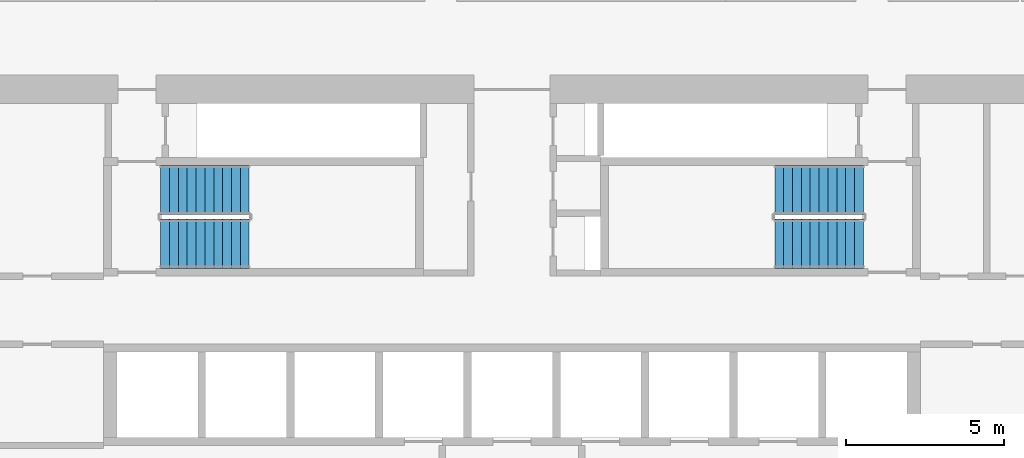
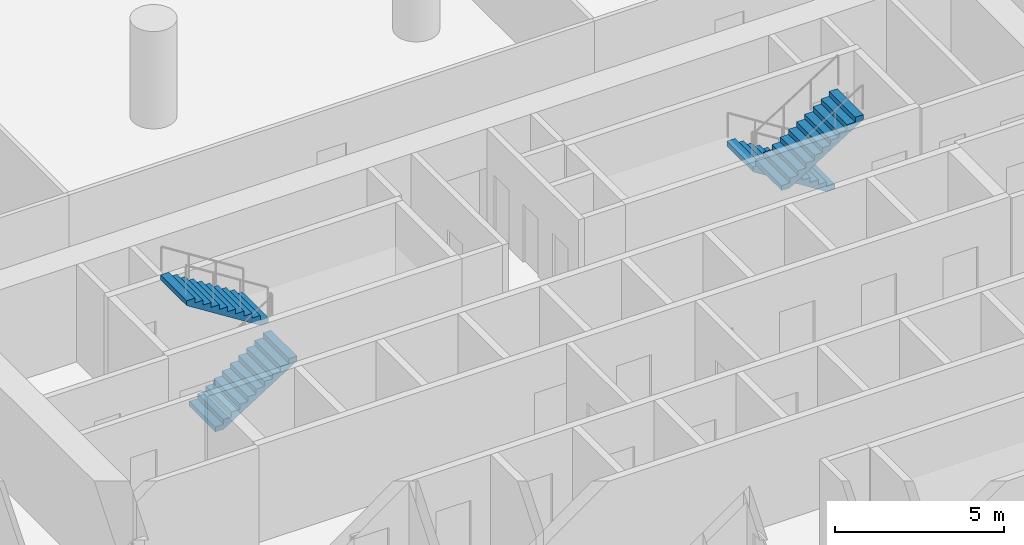
# One storey, part 9 of 10: 4 stair flights, 2 elements without a shape of their own.
"""IFC4 building model written with IfcOpenShell, lengths in metres."""

from ifc_helpers import new_model, si_unit, direction, frame, origin, place, context, subcontext, project, spatial, polyline, outline, extrude, material, type_object, element, aggregate, save


model = new_model("IFC4")

# Units and contexts
model_context = context("Model", 3, precision=1e-05, world=origin(), true_north=direction((0.0, 1.0)))
body_context = subcontext(model_context, "Body", "Model", "MODEL_VIEW")
ifc_project = project(units=[si_unit("LENGTHUNIT", "METRE"), si_unit("AREAUNIT", "SQUARE_METRE"), si_unit("VOLUMEUNIT", "CUBIC_METRE"), si_unit("PLANEANGLEUNIT", "RADIAN"), si_unit("MASSUNIT", "GRAM", prefix="KILO")], contexts=[model_context])

# Site, building, storey
site_placement = place(None, origin())
site = spatial("IfcSite", under=ifc_project, at=site_placement, CompositionType="ELEMENT")
building_placement = place(site_placement, origin())
building = spatial("IfcBuilding", under=site, at=building_placement, Name="Dhurran Vertical Campus", CompositionType="ELEMENT")
storey_placement = place(building_placement, frame((0.0, 0.0, 69.0)))
storey = spatial("IfcBuildingStorey", under=building, at=storey_placement, Name="L16", CompositionType="ELEMENT", Elevation=69.0)

# Stair, stair flights
ifc_material_1 = material(Name="Concrete C40/50", Category="concrete")
stair_type = type_object("IfcStairType", Name="co-ST-CORE", PredefinedType="HALF_TURN_STAIR", material=ifc_material_1)
stair_1_placement = place(storey_placement, origin())
stair_1 = element("IfcStair", 1, at=stair_1_placement, inside=storey, type_object=stair_type, Name="L16 Protected exit stair ST1", PredefinedType="HALF_TURN_STAIR")
ifc_material_2 = material(Name="Concrete C40/50", Category="concrete")
stair_flight_type = type_object("IfcStairFlightType", Name="co-SFL-RC", PredefinedType="STRAIGHT", material=ifc_material_2)
stair_flight_1_placement = place(storey_placement, frame((-11.10009765625, 8.175048828125, 0.0), z_axis=(0.0, 0.0, 1.0), x_axis=(1.0, 0.0, 0.0)))
stair_flight_1 = element("IfcStairFlight", 2, at=stair_flight_1_placement, type_object=stair_flight_type, Name="ST1 flight 1", NumberOfRisers=11, NumberOfTreads=10, PredefinedType="STRAIGHT", RiserHeight=0.177272727, TreadLength=0.28, context=body_context, shape_type="SweptSolid", body=[
    extrude(outline(polyline([(0.0, 0.0), (0.0, 0.17724609375), (0.280029296875, 0.17724609375), (0.280029296875, 0.3544921875), (0.56005859375, 0.3544921875), (0.56005859375, 0.53173828125), (0.840087890625, 0.53173828125), (0.840087890625, 0.708984375), (1.1201171875, 0.708984375), (1.1201171875, 0.886474609375), (1.39990234375, 0.886474609375), (1.39990234375, 1.063720703125), (1.679931640625, 1.063720703125), (1.679931640625, 1.240966796875), (1.9599609375, 1.240966796875), (1.9599609375, 1.418212890625), (2.239990234375, 1.418212890625), (2.239990234375, 1.595458984375), (2.52001953125, 1.595458984375), (2.52001953125, 1.772705078125), (2.800048828125, 1.772705078125), (2.800048828125, 1.949951171875), (2.800048828125, 1.59521484375), (0.2802734375, 0.0), (0.0, 0.0)])), frame((0.0, 0.77490234375, 0.0), z_axis=(0.0, -1.0, 0.0), x_axis=(1.0, 0.0, 0.0)), (0.0, 0.0, 1.0), 1.550048828125),
])
stair_flight_2_placement = place(storey_placement, frame((-8.300048828125, 9.875, 1.949951171875), z_axis=(0.0, 0.0, 1.0), x_axis=(-1.0, 0.0, 0.0)))
stair_flight_2 = element("IfcStairFlight", 3, at=stair_flight_2_placement, type_object=stair_flight_type, Name="ST1 flight 2", NumberOfRisers=11, NumberOfTreads=10, PredefinedType="STRAIGHT", RiserHeight=0.177272727, TreadLength=0.28, context=body_context, shape_type="SweptSolid", body=[
    extrude(outline(polyline([(0.0, 0.0), (0.0, 0.17724609375), (0.280029296875, 0.17724609375), (0.280029296875, 0.3544921875), (0.56005859375, 0.3544921875), (0.56005859375, 0.53173828125), (0.840087890625, 0.53173828125), (0.840087890625, 0.708984375), (1.1201171875, 0.708984375), (1.1201171875, 0.886474609375), (1.39990234375, 0.886474609375), (1.39990234375, 1.063720703125), (1.679931640625, 1.063720703125), (1.679931640625, 1.240966796875), (1.9599609375, 1.240966796875), (1.9599609375, 1.418212890625), (2.239990234375, 1.418212890625), (2.239990234375, 1.595458984375), (2.52001953125, 1.595458984375), (2.52001953125, 1.772705078125), (2.800048828125, 1.772705078125), (2.800048828125, 1.949951171875), (2.800048828125, 1.59521484375), (0.2802734375, 0.0), (0.0, 0.0)])), frame((0.0, 0.77490234375, 0.0), z_axis=(0.0, -1.0, 0.0), x_axis=(1.0, 0.0, 0.0)), (0.0, 0.0, 1.0), 1.550048828125),
])
aggregate(stair_1, [stair_flight_1, stair_flight_2])

stair_2_placement = place(storey_placement, origin())
stair_2 = element("IfcStair", 4, at=stair_2_placement, inside=storey, type_object=stair_type, Name="L16 Protected exit stair ST2", PredefinedType="HALF_TURN_STAIR")
stair_flight_3_placement = place(storey_placement, frame((11.10009765625, 9.875, 0.0), z_axis=(0.0, 0.0, 1.0), x_axis=(-1.0, 0.0, 0.0)))
stair_flight_3 = element("IfcStairFlight", 5, at=stair_flight_3_placement, type_object=stair_flight_type, Name="ST2 flight 1", NumberOfRisers=11, NumberOfTreads=10, PredefinedType="STRAIGHT", RiserHeight=0.177272727, TreadLength=0.28, context=body_context, shape_type="SweptSolid", body=[
    extrude(outline(polyline([(0.0, 0.0), (0.0, 0.17724609375), (0.280029296875, 0.17724609375), (0.280029296875, 0.3544921875), (0.56005859375, 0.3544921875), (0.56005859375, 0.53173828125), (0.840087890625, 0.53173828125), (0.840087890625, 0.708984375), (1.1201171875, 0.708984375), (1.1201171875, 0.886474609375), (1.39990234375, 0.886474609375), (1.39990234375, 1.063720703125), (1.679931640625, 1.063720703125), (1.679931640625, 1.240966796875), (1.9599609375, 1.240966796875), (1.9599609375, 1.418212890625), (2.239990234375, 1.418212890625), (2.239990234375, 1.595458984375), (2.52001953125, 1.595458984375), (2.52001953125, 1.772705078125), (2.800048828125, 1.772705078125), (2.800048828125, 1.949951171875), (2.800048828125, 1.59521484375), (0.2802734375, 0.0), (0.0, 0.0)])), frame((0.0, 0.77490234375, 0.0), z_axis=(0.0, -1.0, 0.0), x_axis=(1.0, 0.0, 0.0)), (0.0, 0.0, 1.0), 1.550048828125),
])
stair_flight_4_placement = place(storey_placement, frame((8.300048828125, 8.175048828125, 1.949951171875), z_axis=(0.0, 0.0, 1.0), x_axis=(1.0, 0.0, 0.0)))
stair_flight_4 = element("IfcStairFlight", 6, at=stair_flight_4_placement, type_object=stair_flight_type, Name="ST2 flight 2", NumberOfRisers=11, NumberOfTreads=10, PredefinedType="STRAIGHT", RiserHeight=0.177272727, TreadLength=0.28, context=body_context, shape_type="SweptSolid", body=[
    extrude(outline(polyline([(0.0, 0.0), (0.0, 0.17724609375), (0.280029296875, 0.17724609375), (0.280029296875, 0.3544921875), (0.56005859375, 0.3544921875), (0.56005859375, 0.53173828125), (0.840087890625, 0.53173828125), (0.840087890625, 0.708984375), (1.1201171875, 0.708984375), (1.1201171875, 0.886474609375), (1.39990234375, 0.886474609375), (1.39990234375, 1.063720703125), (1.679931640625, 1.063720703125), (1.679931640625, 1.240966796875), (1.9599609375, 1.240966796875), (1.9599609375, 1.418212890625), (2.239990234375, 1.418212890625), (2.239990234375, 1.595458984375), (2.52001953125, 1.595458984375), (2.52001953125, 1.772705078125), (2.800048828125, 1.772705078125), (2.800048828125, 1.949951171875), (2.800048828125, 1.59521484375), (0.2802734375, 0.0), (0.0, 0.0)])), frame((0.0, 0.77490234375, 0.0), z_axis=(0.0, -1.0, 0.0), x_axis=(1.0, 0.0, 0.0)), (0.0, 0.0, 1.0), 1.550048828125),
])
aggregate(stair_2, [stair_flight_3, stair_flight_4])

save(model, "model.ifc")
